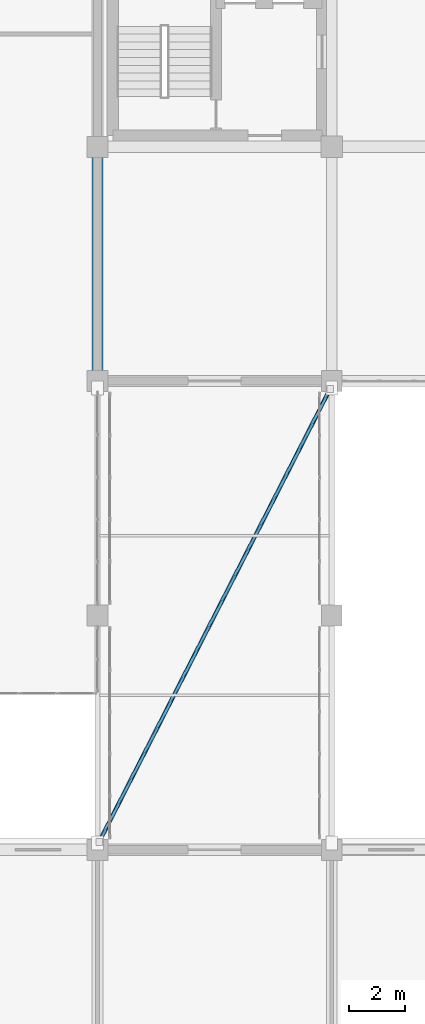
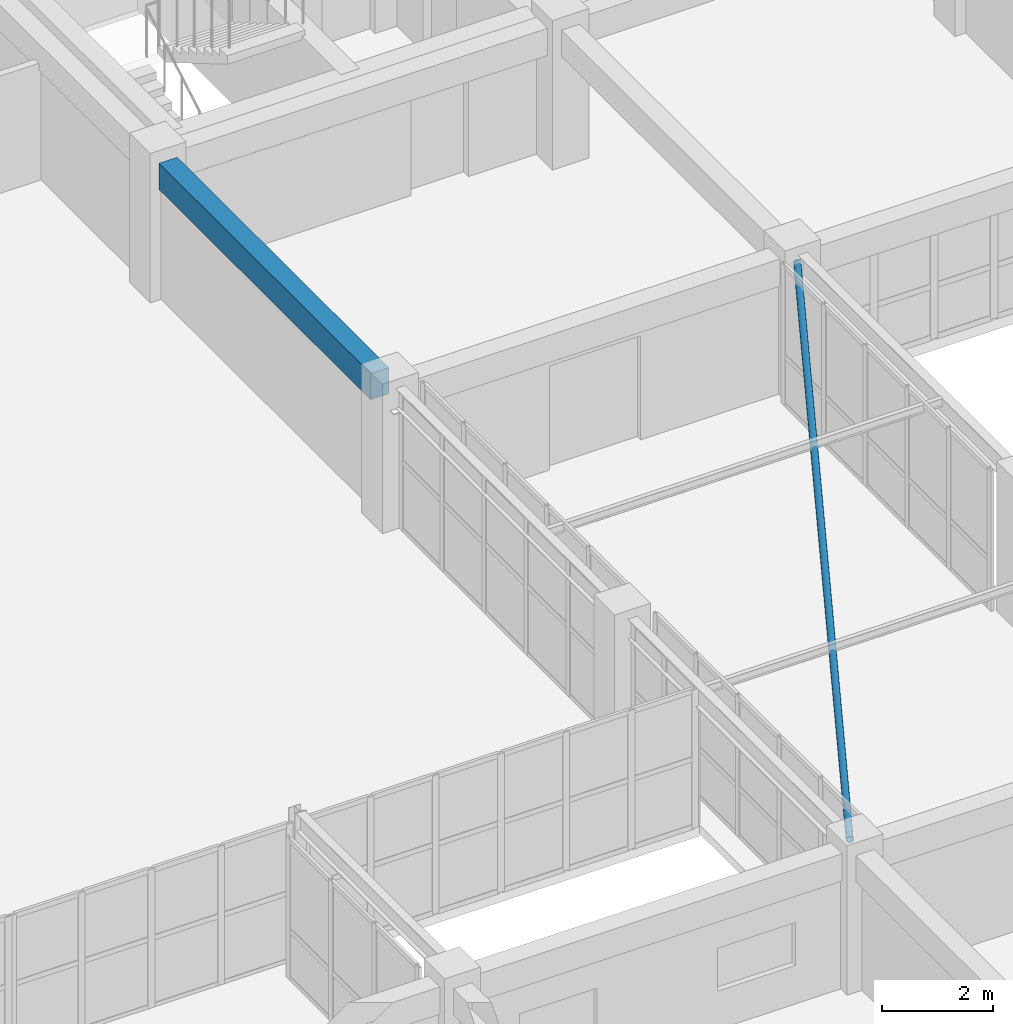
# One storey, part 62 of 200: 1 beam, 1 member.
"""IFC4 building model written with IfcOpenShell, lengths in metres."""

from ifc_helpers import new_model, si_unit, direction, frame, origin, origin_2d, place, context, subcontext, project, spatial, rectangle, hollow_circle, extrude, material, material_profile, profile_set, type_object, element, save


model = new_model("IFC4")

# Units and contexts
model_context = context("Model", 3, precision=1e-05, world=origin(), true_north=direction((0.0, 1.0)))
body_context = subcontext(model_context, "Body", "Model", "MODEL_VIEW")
ifc_project = project(units=[si_unit("LENGTHUNIT", "METRE"), si_unit("AREAUNIT", "SQUARE_METRE"), si_unit("VOLUMEUNIT", "CUBIC_METRE"), si_unit("PLANEANGLEUNIT", "RADIAN"), si_unit("MASSUNIT", "GRAM", prefix="KILO")], contexts=[model_context])

# Site, building, storey
site_placement = place(None, origin())
site = spatial("IfcSite", under=ifc_project, at=site_placement, CompositionType="ELEMENT")
building_placement = place(site_placement, origin())
building = spatial("IfcBuilding", under=site, at=building_placement, Name="Trelvath General Hospital", CompositionType="ELEMENT")
storey_placement = place(building_placement, frame((0.0, 0.0, 4.800048828125)))
storey = spatial("IfcBuildingStorey", under=building, at=storey_placement, Name="L01", CompositionType="ELEMENT", Elevation=4.800048828125)

# Beam
ifc_material_1 = material(Name="Concrete C35/45", Category="concrete")
ifc_material_profile_1 = material_profile(ifc_material_1, rectangle(XDim=0.3798828125, YDim=0.580078125, at=origin_2d()), Name="RCB380x580")
ifc_profile_set_1 = profile_set([ifc_material_profile_1], Name="Concrete C35/45")
beam_type = type_object("IfcBeamType", Name="Beam RC380x580", PredefinedType="BEAM", material=ifc_profile_set_1)
beam_placement = place(storey_placement, frame((75.60009765625, 42.3701171875, 2.72998046875), z_axis=(0.0, 1.0, 0.0), x_axis=(-1.0, 0.0, 0.0)))
element("IfcBeam", 1, at=beam_placement, inside=storey, type_object=beam_type, Name="Grid Beam BY-109F", PredefinedType="BEAM", context=body_context, shape_type="SweptSolid", body=[
    extrude(rectangle(XDim=0.3798828125, YDim=0.580078125, at=origin_2d()), origin(), (0.0, 0.0, 1.0), 7.659912109375),
])

# Member
ifc_material_2 = material(Name="Steel S355", Category="steel")
ifc_material_profile_2 = material_profile(ifc_material_2, hollow_circle(Radius=0.06982421875, WallThickness=0.00634765625, at=origin_2d()), Name="CHS139.7x6.3")
ifc_profile_set_2 = profile_set([ifc_material_profile_2], Name="Steel S355")
member_type = type_object("IfcMemberType", Name="BridgeBrace CHS139", PredefinedType="BRACE", material=ifc_profile_set_2)
member_placement = place(storey_placement, frame((75.659912109375, 25.47998046875, 2.885009765625), z_axis=(0.454223089501, 0.890887975542, 0.0), x_axis=(-0.890887975542, 0.454223089501, 0.0)))
element("IfcMember", 2, at=member_placement, inside=storey, type_object=member_type, Name="Bridge Lateral Brace BRG-S-C L02", PredefinedType="BRACE", context=body_context, shape_type="SweptSolid", body=[
    extrude(hollow_circle(Radius=0.06982421875, WallThickness=0.00634765625, at=origin_2d()), origin(), (0.0, 0.0, 1.0), 18.22900390625),
])

save(model, "model.ifc")
